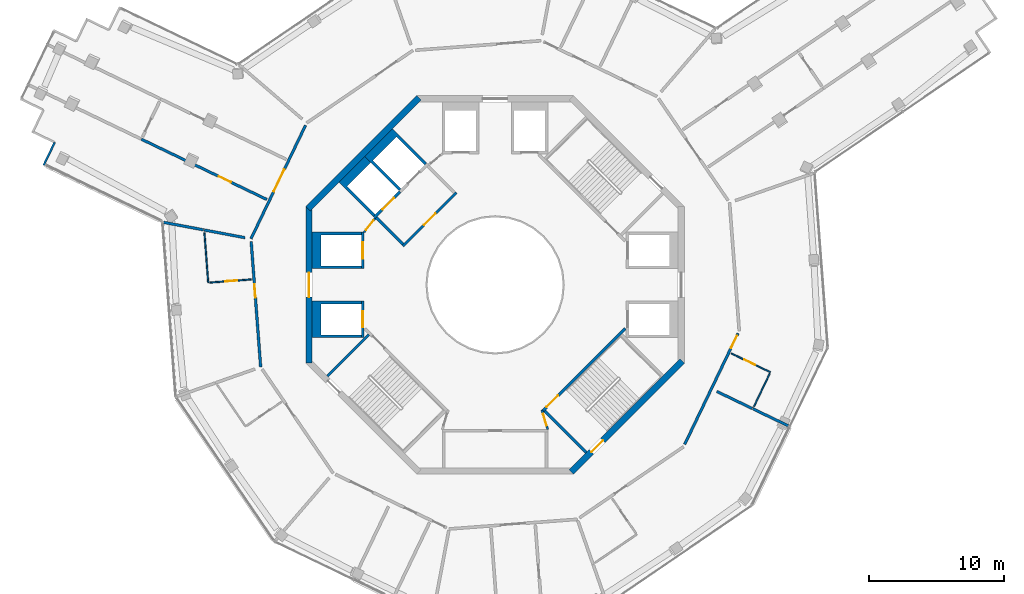
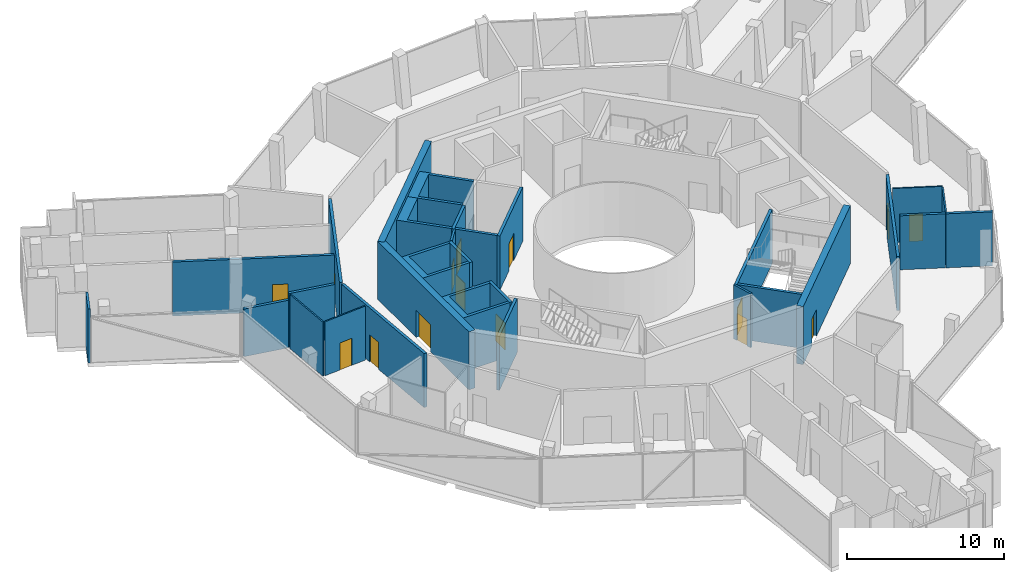
# One storey, part 14 of 19: 30 walls, 15 doors, 15 openings.
"""IFC4 building model written with IfcOpenShell, lengths in metres."""

from ifc_helpers import new_model, si_unit, direction, frame, frame_2d, origin, place, context, subcontext, project, spatial, polyline, rectangle, outline, extrude, material, layer, layer_set, type_object, element, fill, save


model = new_model("IFC4")

# Units and contexts
model_context = context("Model", 3, precision=1e-05, world=origin(), true_north=direction((0.0, 1.0)))
body_context = subcontext(model_context, "Body", "Model", "MODEL_VIEW")
ifc_project = project(units=[si_unit("LENGTHUNIT", "METRE"), si_unit("AREAUNIT", "SQUARE_METRE"), si_unit("VOLUMEUNIT", "CUBIC_METRE"), si_unit("PLANEANGLEUNIT", "RADIAN"), si_unit("MASSUNIT", "GRAM", prefix="KILO")], contexts=[model_context])

# Site, building, storey
site_placement = place(None, origin())
site = spatial("IfcSite", under=ifc_project, at=site_placement, CompositionType="ELEMENT")
building_placement = place(site_placement, origin())
building = spatial("IfcBuilding", under=site, at=building_placement, Name="Verdalira Terraces Hotel", CompositionType="ELEMENT")
storey_placement = place(building_placement, frame((0.0, 0.0, 295.0)))
storey = spatial("IfcBuildingStorey", under=building, at=storey_placement, Name="L73", CompositionType="ELEMENT", Elevation=295.0)

# Wall
ifc_material_1 = material(Name="Moisture-resistant gypsum board partition")
ifc_layer_1 = layer(ifc_material_1, 0.10009765625)
ifc_layer_set_1 = layer_set([ifc_layer_1], Name="Bathroom partition 100 mm")
wall_type_1 = type_object("IfcWallType", Name="Bathroom partition 100 mm", PredefinedType="PARTITIONING", material=ifc_layer_set_1)
wall_1_placement = place(storey_placement, frame((-21.230713, 0.159424, 0.0), z_axis=(0.0, 0.0, 1.0), x_axis=(-0.075335572, 0.997158238, 0.0)))
element("IfcWall", 1, at=wall_1_placement, inside=storey, type_object=wall_type_1, Name="Bathroom partition", PredefinedType="PARTITIONING", context=body_context, shape_type="SweptSolid", body=[
    extrude(rectangle(XDim=3.704102, YDim=0.100098, at=frame_2d((1.852051, 0.0))), origin(), (0.0, 0.0, 1.0), 4.189941),
])

# Wall, opening, door
wall_2_placement = place(storey_placement, frame((-21.131104, 0.166992, 0.0), z_axis=(0.0, 0.0, 1.0), x_axis=(0.997155975, 0.075365524, 0.0)))
wall_2 = element("IfcWall", 2, at=wall_2_placement, inside=storey, type_object=wall_type_1, Name="Bathroom partition", PredefinedType="PARTITIONING", context=body_context, shape_type="SweptSolid", body=[
    extrude(rectangle(XDim=3.100098, YDim=0.100098, at=frame_2d((1.550049, 0.0))), origin(), (0.0, 0.0, 1.0), 4.189941),
])
opening_1_placement = place(wall_2_placement, frame((1.149902, 0.0, 0.0)))
opening_1 = element("IfcOpeningElement", 3, at=opening_1_placement, cuts=wall_2, Name="Opening L73-106", PredefinedType="OPENING", context=body_context, shape_type="SweptSolid", body=[
    extrude(rectangle(XDim=0.899902, YDim=2.100098, at=frame_2d((0.449951, 1.050049))), frame((0.0, 0.060059, 0.0), z_axis=(0.0, -1.0, 0.0), x_axis=(1.0, 0.0, 0.0)), (0.0, 0.0, 1.0), 0.120117),
])
ifc_material_2 = material(Name="Timber door", Category="wood")
door_type_1 = type_object("IfcDoorType", Name="Bathroom door 900 x 2100", OperationType="NOTDEFINED", PredefinedType="DOOR", material=ifc_material_2)
door_1_placement = place(opening_1_placement, origin())
door_1 = element("IfcDoor", 4, at=door_1_placement, inside=storey, type_object=door_type_1, Name="Bathroom door 7302", OperationType="SINGLE_SWING_LEFT", OverallHeight=2.10009765625, OverallWidth=0.89990234375, PredefinedType="DOOR", context=body_context, shape_type="SweptSolid", body=[
    extrude(rectangle(XDim=0.899902, YDim=2.100098, at=frame_2d((0.449951, 1.050049))), frame((0.0, 0.024902, 0.0), z_axis=(0.0, -1.0, 0.0), x_axis=(1.0, 0.0, 0.0)), (0.0, 0.0, 1.0), 0.050049),
])
fill(opening_1, door_1)

wall_3_placement = place(storey_placement, frame((20.368408, -6.465088, 0.0), z_axis=(0.0, 0.0, 1.0), x_axis=(-0.901247841, 0.433303969, 0.0)))
wall_3 = element("IfcWall", 5, at=wall_3_placement, inside=storey, type_object=wall_type_1, Name="Bathroom partition", PredefinedType="PARTITIONING", context=body_context, shape_type="SweptSolid", body=[
    extrude(rectangle(XDim=3.199707, YDim=0.100098, at=frame_2d((1.599854, 0.0))), origin(), (0.0, 0.0, 1.0), 4.189941),
])
opening_2_placement = place(wall_3_placement, frame((1.25, 0.0, 0.0)))
opening_2 = element("IfcOpeningElement", 6, at=opening_2_placement, cuts=wall_3, Name="Opening L73-117", PredefinedType="OPENING", context=body_context, shape_type="SweptSolid", body=[
    extrude(rectangle(XDim=0.899902, YDim=2.100098, at=frame_2d((0.449951, 1.050049))), frame((0.0, 0.060059, 0.0), z_axis=(0.0, -1.0, 0.0), x_axis=(1.0, 0.0, 0.0)), (0.0, 0.0, 1.0), 0.120117),
])
door_2_placement = place(opening_2_placement, origin())
door_2 = element("IfcDoor", 7, at=door_2_placement, inside=storey, type_object=door_type_1, Name="Bathroom door 7307", OperationType="SINGLE_SWING_LEFT", OverallHeight=2.10009765625, OverallWidth=0.89990234375, PredefinedType="DOOR", context=body_context, shape_type="SweptSolid", body=[
    extrude(rectangle(XDim=0.899902, YDim=2.100098, at=frame_2d((0.449951, 1.050049))), frame((0.0, 0.024902, 0.0), z_axis=(0.0, -1.0, 0.0), x_axis=(1.0, 0.0, 0.0)), (0.0, 0.0, 1.0), 0.050049),
])
fill(opening_2, door_2)

# Walls
wall_4_placement = place(storey_placement, frame((20.325195, -6.55542, 0.0), z_axis=(0.0, 0.0, 1.0), x_axis=(-0.433342461, -0.901229333, 0.0)))
element("IfcWall", 8, at=wall_4_placement, inside=storey, type_object=wall_type_1, Name="Bathroom partition", PredefinedType="PARTITIONING", context=body_context, shape_type="SweptSolid", body=[
    extrude(rectangle(XDim=2.699707, YDim=0.100098, at=frame_2d((1.349854, 0.0))), origin(), (0.0, 0.0, 1.0), 4.189941),
])
ifc_material_3 = material(Name="Concrete C50", Category="concrete")
ifc_layer_2 = layer(ifc_material_3, 0.199951171875)
ifc_layer_set_2 = layer_set([ifc_layer_2], Name="Core RC wall 200 C50")
wall_type_2 = type_object("IfcWallType", Name="Core RC wall 200 C50", PredefinedType="SOLIDWALL", material=ifc_layer_set_2)
wall_5_placement = place(storey_placement, origin())
element("IfcWall", 9, at=wall_5_placement, inside=storey, type_object=wall_type_2, Name="L73 shaft wall W1", PredefinedType="SOLIDWALL", context=body_context, shape_type="SweptSolid", body=[
    extrude(outline(polyline([(-13.550049, 3.899902), (-9.899902, 3.899902), (-9.899902, 3.699951), (-12.899902, 3.699951), (-12.899902, 1.399902), (-9.899902, 1.399902), (-9.899902, 1.199951), (-13.550049, 1.199951), (-13.550049, 3.899902)])), origin(), (0.0, 0.0, 1.0), 4.189941),
])

# Wall, opening, door
wall_6_placement = place(storey_placement, frame((-9.800049, 1.199951, 0.0), z_axis=(0.0, 0.0, 1.0), x_axis=(0.0, 1.0, 0.0)))
wall_6 = element("IfcWall", 10, at=wall_6_placement, inside=storey, type_object=wall_type_2, Name="L73 shaft front wall W1", PredefinedType="SOLIDWALL", context=body_context, shape_type="SweptSolid", body=[
    extrude(rectangle(XDim=2.699951, YDim=0.199951, at=frame_2d((1.350098, 0.0))), origin(), (0.0, 0.0, 1.0), 4.189941),
])
opening_3_placement = place(wall_6_placement, frame((0.75, 0.0, 0.0)))
opening_3 = element("IfcOpeningElement", 11, at=opening_3_placement, cuts=wall_6, Name="Opening LD-L73-806", PredefinedType="OPENING", context=body_context, shape_type="SweptSolid", body=[
    extrude(rectangle(XDim=1.199951, YDim=2.100098, at=frame_2d((0.600098, 1.050049))), frame((0.0, 0.109863, 0.0), z_axis=(0.0, -1.0, 0.0), x_axis=(1.0, 0.0, 0.0)), (0.0, 0.0, 1.0), 0.219971),
])
ifc_material_4 = material(Name="Stainless steel", Category="steel")
door_type_2 = type_object("IfcDoorType", Name="Landing door 1200 x 2100", OperationType="NOTDEFINED", PredefinedType="DOOR", material=ifc_material_4)
door_3_placement = place(opening_3_placement, origin())
door_3 = element("IfcDoor", 12, at=door_3_placement, inside=storey, type_object=door_type_2, Name="Lift landing door HR5 L73", OperationType="DOUBLE_DOOR_SLIDING", OverallHeight=2.10009765625, OverallWidth=1.199951171875, PredefinedType="DOOR", context=body_context, shape_type="SweptSolid", body=[
    extrude(rectangle(XDim=1.199951, YDim=2.100098, at=frame_2d((0.600098, 1.050049))), frame((0.0, 0.024902, 0.0), z_axis=(0.0, -1.0, 0.0), x_axis=(1.0, 0.0, 0.0)), (0.0, 0.0, 1.0), 0.050049),
])
fill(opening_3, door_3)

# Wall
wall_7_placement = place(storey_placement, origin())
element("IfcWall", 13, at=wall_7_placement, inside=storey, type_object=wall_type_2, Name="L73 shaft wall W2", PredefinedType="SOLIDWALL", context=body_context, shape_type="SweptSolid", body=[
    extrude(outline(polyline([(-13.550049, -3.899902), (-13.550049, -1.199951), (-9.899902, -1.199951), (-9.899902, -1.399902), (-12.899902, -1.399902), (-12.899902, -3.699951), (-9.899902, -3.699951), (-9.899902, -3.899902), (-13.550049, -3.899902)])), origin(), (0.0, 0.0, 1.0), 4.189941),
])

# Wall, opening, door
wall_8_placement = place(storey_placement, frame((-9.800049, -1.199951, 0.0), z_axis=(0.0, 0.0, 1.0), x_axis=(0.0, -1.0, 0.0)))
wall_8 = element("IfcWall", 14, at=wall_8_placement, inside=storey, type_object=wall_type_2, Name="L73 shaft front wall W2", PredefinedType="SOLIDWALL", context=body_context, shape_type="SweptSolid", body=[
    extrude(rectangle(XDim=2.699951, YDim=0.199951, at=frame_2d((1.350098, 0.0))), origin(), (0.0, 0.0, 1.0), 4.189941),
])
opening_4_placement = place(wall_8_placement, frame((0.75, 0.0, 0.0)))
opening_4 = element("IfcOpeningElement", 15, at=opening_4_placement, cuts=wall_8, Name="Opening LD-L73-807", PredefinedType="OPENING", context=body_context, shape_type="SweptSolid", body=[
    extrude(rectangle(XDim=1.199951, YDim=2.100098, at=frame_2d((0.600098, 1.050049))), frame((0.0, 0.109863, 0.0), z_axis=(0.0, -1.0, 0.0), x_axis=(1.0, 0.0, 0.0)), (0.0, 0.0, 1.0), 0.219971),
])
door_4_placement = place(opening_4_placement, origin())
door_4 = element("IfcDoor", 16, at=door_4_placement, inside=storey, type_object=door_type_2, Name="Lift landing door HR6 L73", OperationType="DOUBLE_DOOR_SLIDING", OverallHeight=2.10009765625, OverallWidth=1.199951171875, PredefinedType="DOOR", context=body_context, shape_type="SweptSolid", body=[
    extrude(rectangle(XDim=1.199951, YDim=2.100098, at=frame_2d((0.600098, 1.050049))), frame((0.0, 0.024902, 0.0), z_axis=(0.0, -1.0, 0.0), x_axis=(1.0, 0.0, 0.0)), (0.0, 0.0, 1.0), 0.050049),
])
fill(opening_4, door_4)

# Walls
wall_9_placement = place(storey_placement, origin())
element("IfcWall", 17, at=wall_9_placement, inside=storey, type_object=wall_type_2, Name="L73 shaft wall F1", PredefinedType="SOLIDWALL", context=body_context, shape_type="SweptSolid", body=[
    extrude(outline(polyline([(-9.6521, 9.510498), (-7.601318, 11.561279), (-5.055908, 9.015625), (-5.197266, 8.874268), (-7.283203, 10.960205), (-9.051025, 9.192383), (-6.965088, 7.106445), (-7.106445, 6.965088), (-9.6521, 9.510498)])), origin(), (0.0, 0.0, 1.0), 4.189941),
])
wall_10_placement = place(storey_placement, origin())
element("IfcWall", 18, at=wall_10_placement, inside=storey, type_object=wall_type_2, Name="L73 shaft wall F2", PredefinedType="SOLIDWALL", context=body_context, shape_type="SweptSolid", body=[
    extrude(outline(polyline([(-11.561279, 7.601318), (-9.6521, 9.510498), (-9.192383, 9.051025), (-10.960205, 7.283203), (-8.874268, 5.197266), (-9.015625, 5.055908), (-11.561279, 7.601318)])), origin(), (0.0, 0.0, 1.0), 4.189941),
])

# Wall, opening, door
wall_11_placement = place(storey_placement, frame((-7.035645, 6.894287, 0.0), z_axis=(0.0, 0.0, 1.0), x_axis=(-0.707106781, -0.707106781, 0.0)))
wall_11 = element("IfcWall", 19, at=wall_11_placement, inside=storey, type_object=wall_type_2, Name="L73 shaft front wall F2", PredefinedType="SOLIDWALL", context=body_context, shape_type="SweptSolid", body=[
    extrude(rectangle(XDim=2.699951, YDim=0.199951, at=frame_2d((1.350098, 0.0))), origin(), (0.0, 0.0, 1.0), 4.189941),
])
opening_5_placement = place(wall_11_placement, frame((0.649902, 0.0, 0.0)))
opening_5 = element("IfcOpeningElement", 20, at=opening_5_placement, cuts=wall_11, Name="Opening LD-L73-809", PredefinedType="OPENING", context=body_context, shape_type="SweptSolid", body=[
    extrude(rectangle(XDim=1.199951, YDim=2.100098, at=frame_2d((0.600098, 1.050049))), frame((0.0, 0.109863, 0.0), z_axis=(0.0, -1.0, 0.0), x_axis=(1.0, 0.0, 0.0)), (0.0, 0.0, 1.0), 0.219971),
])
door_5_placement = place(opening_5_placement, origin())
door_5 = element("IfcDoor", 21, at=door_5_placement, inside=storey, type_object=door_type_2, Name="Lift landing door LF12 L73", OperationType="DOUBLE_DOOR_SLIDING", OverallHeight=2.10009765625, OverallWidth=1.199951171875, PredefinedType="DOOR", context=body_context, shape_type="SweptSolid", body=[
    extrude(rectangle(XDim=1.199951, YDim=2.100098, at=frame_2d((0.600098, 1.050049))), frame((0.0, 0.024902, 0.0), z_axis=(0.0, -1.0, 0.0), x_axis=(1.0, 0.0, 0.0)), (0.0, 0.0, 1.0), 0.050049),
])
fill(opening_5, door_5)

# Wall
wall_12_placement = place(storey_placement, frame((-9.33374, -3.677002, 0.0), z_axis=(0.0, 0.0, 1.0), x_axis=(-0.707106781, -0.707106781, 0.0)))
element("IfcWall", 22, at=wall_12_placement, inside=storey, type_object=wall_type_2, Name="L73 stair ST2 end wall 1", PredefinedType="SOLIDWALL", context=body_context, shape_type="SweptSolid", body=[
    extrude(rectangle(XDim=4.350098, YDim=0.199951, at=frame_2d((2.175049, 0.0))), origin(), (0.0, 0.0, 1.0), 4.189941),
])

# Wall, opening, door
wall_13_placement = place(storey_placement, frame((9.629395, -3.23999, 0.0), z_axis=(0.0, 0.0, 1.0), x_axis=(-0.707120946, -0.707092617, 0.0)))
wall_13 = element("IfcWall", 23, at=wall_13_placement, inside=storey, type_object=wall_type_2, Name="L73 stair ST3 front wall", PredefinedType="SOLIDWALL", context=body_context, shape_type="SweptSolid", body=[
    extrude(rectangle(XDim=8.61792, YDim=0.199951, at=frame_2d((4.309082, 0.0))), origin(), (0.0, 0.0, 1.0), 4.189941),
])
opening_6_placement = place(wall_13_placement, frame((7.017822, 0.0, 0.0)))
opening_6 = element("IfcOpeningElement", 24, at=opening_6_placement, cuts=wall_13, Name="Opening L73-812", PredefinedType="OPENING", context=body_context, shape_type="SweptSolid", body=[
    extrude(rectangle(XDim=1.199951, YDim=2.100098, at=frame_2d((0.600098, 1.050049))), frame((0.0, 0.109863, 0.0), z_axis=(0.0, -1.0, 0.0), x_axis=(1.0, 0.0, 0.0)), (0.0, 0.0, 1.0), 0.219971),
])
ifc_material_5 = material(Name="Steel fire door", Category="steel")
door_type_3 = type_object("IfcDoorType", Name="Stair door 1200 x 2100", OperationType="NOTDEFINED", PredefinedType="DOOR", material=ifc_material_5)
door_6_placement = place(opening_6_placement, origin())
door_6 = element("IfcDoor", 25, at=door_6_placement, inside=storey, type_object=door_type_3, Name="Stair door ST3 L73", OperationType="SINGLE_SWING_RIGHT", OverallHeight=2.10009765625, OverallWidth=1.199951171875, PredefinedType="DOOR", context=body_context, shape_type="SweptSolid", body=[
    extrude(rectangle(XDim=1.199951, YDim=2.100098, at=frame_2d((0.600098, 1.050049))), frame((0.0, 0.024902, 0.0), z_axis=(0.0, -1.0, 0.0), x_axis=(1.0, 0.0, 0.0)), (0.0, 0.0, 1.0), 0.050049),
])
fill(opening_6, door_6)

# Wall
wall_14_placement = place(storey_placement, frame((3.677002, -9.33374, 0.0), z_axis=(0.0, 0.0, 1.0), x_axis=(0.707106781, -0.707106781, 0.0)))
element("IfcWall", 26, at=wall_14_placement, inside=storey, type_object=wall_type_2, Name="L73 stair ST3 end wall 1", PredefinedType="SOLIDWALL", context=body_context, shape_type="SweptSolid", body=[
    extrude(rectangle(XDim=4.350098, YDim=0.199951, at=frame_2d((2.175049, 0.0))), origin(), (0.0, 0.0, 1.0), 4.189941),
])

# Wall, opening, door
wall_15_placement = place(storey_placement, frame((-2.86377, 6.823486, 0.0), z_axis=(0.0, 0.0, 1.0), x_axis=(-0.707106781, -0.707106781, 0.0)))
wall_15 = element("IfcWall", 27, at=wall_15_placement, inside=storey, type_object=wall_type_2, Name="L73 fire lobby wall", PredefinedType="SOLIDWALL", context=body_context, shape_type="SweptSolid", body=[
    extrude(rectangle(XDim=5.599854, YDim=0.199951, at=frame_2d((2.799805, 0.0))), origin(), (0.0, 0.0, 1.0), 4.189941),
])
opening_7_placement = place(wall_15_placement, frame((2.199951, 0.0, 0.0)))
opening_7 = element("IfcOpeningElement", 28, at=opening_7_placement, cuts=wall_15, Name="Opening L73-819", PredefinedType="OPENING", context=body_context, shape_type="SweptSolid", body=[
    extrude(rectangle(XDim=1.199951, YDim=2.100098, at=frame_2d((0.600098, 1.050049))), frame((0.0, 0.109863, 0.0), z_axis=(0.0, -1.0, 0.0), x_axis=(1.0, 0.0, 0.0)), (0.0, 0.0, 1.0), 0.219971),
])
ifc_material_6 = material(Name="Steel fire door", Category="steel")
door_type_4 = type_object("IfcDoorType", Name="Lobby door 1200 x 2100", OperationType="NOTDEFINED", PredefinedType="DOOR", material=ifc_material_6)
door_7_placement = place(opening_7_placement, origin())
door_7 = element("IfcDoor", 29, at=door_7_placement, inside=storey, type_object=door_type_4, Name="Fire lobby door L73", OperationType="SINGLE_SWING_LEFT", OverallHeight=2.10009765625, OverallWidth=1.199951171875, PredefinedType="DOOR", context=body_context, shape_type="SweptSolid", body=[
    extrude(rectangle(XDim=1.199951, YDim=2.100098, at=frame_2d((0.600098, 1.050049))), frame((0.0, 0.024902, 0.0), z_axis=(0.0, -1.0, 0.0), x_axis=(1.0, 0.0, 0.0)), (0.0, 0.0, 1.0), 0.050049),
])
fill(opening_7, door_7)

# Wall
wall_16_placement = place(storey_placement, frame((-6.823486, 3.005127, 0.0), z_axis=(0.0, 0.0, 1.0), x_axis=(-0.707106781, 0.707106781, 0.0)))
element("IfcWall", 30, at=wall_16_placement, inside=storey, type_object=wall_type_2, Name="L73 fire lobby wall", PredefinedType="SOLIDWALL", context=body_context, shape_type="SweptSolid", body=[
    extrude(rectangle(XDim=2.800049, YDim=0.199951, at=frame_2d((1.399902, 0.0))), origin(), (0.0, 0.0, 1.0), 4.189941),
])

# Wall, opening, door
ifc_material_7 = material(Name="Gypsum board partition")
ifc_layer_3 = layer(ifc_material_7, 0.14990234375)
ifc_layer_set_3 = layer_set([ifc_layer_3], Name="Core partition 150 mm")
wall_type_3 = type_object("IfcWallType", Name="Core partition 150 mm", PredefinedType="PARTITIONING", material=ifc_layer_set_3)
wall_17_placement = place(storey_placement, frame((-8.874268, 4.914307, 0.0), z_axis=(0.0, 0.0, 1.0), x_axis=(-0.631274009, -0.775559878, 0.0)))
wall_17 = element("IfcWall", 31, at=wall_17_placement, inside=storey, type_object=wall_type_3, Name="Room partition L73", PredefinedType="PARTITIONING", context=body_context, shape_type="SweptSolid", body=[
    extrude(rectangle(XDim=1.307861, YDim=0.149902, at=frame_2d((0.653809, 0.0))), origin(), (0.0, 0.0, 1.0), 4.189941),
])
opening_8_placement = place(wall_17_placement, frame((0.204102, 0.0, 0.0)))
opening_8 = element("IfcOpeningElement", 32, at=opening_8_placement, cuts=wall_17, Name="Opening L73-821", PredefinedType="OPENING", context=body_context, shape_type="SweptSolid", body=[
    extrude(rectangle(XDim=0.899902, YDim=2.100098, at=frame_2d((0.449951, 1.050049))), frame((0.0, 0.084961, 0.0), z_axis=(0.0, -1.0, 0.0), x_axis=(1.0, 0.0, 0.0)), (0.0, 0.0, 1.0), 0.169922),
])
ifc_material_8 = material(Name="Steel fire door", Category="steel")
door_type_5 = type_object("IfcDoorType", Name="Core room door 900 x 2100", OperationType="NOTDEFINED", PredefinedType="DOOR", material=ifc_material_8)
door_8_placement = place(opening_8_placement, origin())
door_8 = element("IfcDoor", 33, at=door_8_placement, inside=storey, type_object=door_type_5, Name="Door L73 room3", OperationType="SINGLE_SWING_LEFT", OverallHeight=2.10009765625, OverallWidth=0.89990234375, PredefinedType="DOOR", context=body_context, shape_type="SweptSolid", body=[
    extrude(rectangle(XDim=0.899902, YDim=2.100098, at=frame_2d((0.449951, 1.050049))), frame((0.0, 0.024902, 0.0), z_axis=(0.0, -1.0, 0.0), x_axis=(1.0, 0.0, 0.0)), (0.0, 0.0, 1.0), 0.050049),
])
fill(opening_8, door_8)

wall_18_placement = place(storey_placement, frame((3.899902, -10.699951, 0.0), z_axis=(0.0, 0.0, 1.0), x_axis=(-0.289808785, 0.957084567, 0.0)))
wall_18 = element("IfcWall", 34, at=wall_18_placement, inside=storey, type_object=wall_type_3, Name="Room partition L73", PredefinedType="PARTITIONING", context=body_context, shape_type="SweptSolid", body=[
    extrude(rectangle(XDim=1.501221, YDim=0.149902, at=frame_2d((0.750488, 0.0))), origin(), (0.0, 0.0, 1.0), 4.189941),
])
opening_9_placement = place(wall_18_placement, frame((0.300781, 0.0, 0.0)))
opening_9 = element("IfcOpeningElement", 35, at=opening_9_placement, cuts=wall_18, Name="Opening L73-823", PredefinedType="OPENING", context=body_context, shape_type="SweptSolid", body=[
    extrude(rectangle(XDim=0.899902, YDim=2.100098, at=frame_2d((0.449951, 1.050049))), frame((0.0, 0.084961, 0.0), z_axis=(0.0, -1.0, 0.0), x_axis=(1.0, 0.0, 0.0)), (0.0, 0.0, 1.0), 0.169922),
])
door_9_placement = place(opening_9_placement, origin())
door_9 = element("IfcDoor", 36, at=door_9_placement, inside=storey, type_object=door_type_5, Name="Door L73 room6", OperationType="SINGLE_SWING_LEFT", OverallHeight=2.10009765625, OverallWidth=0.89990234375, PredefinedType="DOOR", context=body_context, shape_type="SweptSolid", body=[
    extrude(rectangle(XDim=0.899902, YDim=2.100098, at=frame_2d((0.449951, 1.050049))), frame((0.0, 0.024902, 0.0), z_axis=(0.0, -1.0, 0.0), x_axis=(1.0, 0.0, 0.0)), (0.0, 0.0, 1.0), 0.050049),
])
fill(opening_9, door_9)

# Wall
ifc_material_9 = material(Name="Concrete C50", Category="concrete")
ifc_layer_4 = layer(ifc_material_9, 0.449951171875)
ifc_layer_set_4 = layer_set([ifc_layer_4], Name="Core wall 450 C50")
wall_type_4 = type_object("IfcWallType", Name="Core wall 450 C50", PredefinedType="SHEAR", material=ifc_layer_set_4)
wall_19_placement = place(storey_placement, frame((-5.639893, 13.84082, 0.0), z_axis=(0.0, 0.0, 1.0), x_axis=(-0.707106781, -0.707106781, 0.0)))
element("IfcWall", 37, at=wall_19_placement, inside=storey, type_object=wall_type_4, Name="Core wall CW-L73-4", PredefinedType="SHEAR", context=body_context, shape_type="SweptSolid", body=[
    extrude(rectangle(XDim=11.5979, YDim=0.449951, at=frame_2d((5.798828, 0.0))), origin(), (0.0, 0.0, 1.0), 4.5),
])

# Wall, opening, door
wall_20_placement = place(storey_placement, frame((-13.774902, 5.799072, 0.0), z_axis=(0.0, 0.0, 1.0), x_axis=(0.0, -1.0, 0.0)))
wall_20 = element("IfcWall", 38, at=wall_20_placement, inside=storey, type_object=wall_type_4, Name="Core wall CW-L73-5", PredefinedType="SHEAR", context=body_context, shape_type="SweptSolid", body=[
    extrude(rectangle(XDim=11.598145, YDim=0.449951, at=frame_2d((5.799072, 0.0))), origin(), (0.0, 0.0, 1.0), 4.5),
])
opening_10_placement = place(wall_20_placement, frame((4.898926, 0.0, 0.0)))
opening_10 = element("IfcOpeningElement", 39, at=opening_10_placement, cuts=wall_20, Name="Opening L73-815", PredefinedType="OPENING", context=body_context, shape_type="SweptSolid", body=[
    extrude(rectangle(XDim=1.800049, YDim=2.100098, at=frame_2d((0.899902, 1.050049))), frame((0.0, 0.234863, 0.0), z_axis=(0.0, -1.0, 0.0), x_axis=(1.0, 0.0, 0.0)), (0.0, 0.0, 1.0), 0.469971),
])
ifc_material_10 = material(Name="Steel fire door", Category="steel")
door_type_6 = type_object("IfcDoorType", Name="Core entry door pair 1800 x 2100", OperationType="NOTDEFINED", PredefinedType="DOOR", material=ifc_material_10)
door_10_placement = place(opening_10_placement, origin())
door_10 = element("IfcDoor", 40, at=door_10_placement, inside=storey, type_object=door_type_6, Name="Core entry door L73 4", OperationType="DOUBLE_DOOR_SINGLE_SWING", OverallHeight=2.10009765625, OverallWidth=1.800048828125, PredefinedType="DOOR", context=body_context, shape_type="SweptSolid", body=[
    extrude(rectangle(XDim=1.800049, YDim=2.100098, at=frame_2d((0.899902, 1.050049))), frame((0.0, 0.024902, 0.0), z_axis=(0.0, -1.0, 0.0), x_axis=(1.0, 0.0, 0.0)), (0.0, 0.0, 1.0), 0.050049),
])
fill(opening_10, door_10)

wall_21_placement = place(storey_placement, frame((5.639893, -13.84082, 0.0), z_axis=(0.0, 0.0, 1.0), x_axis=(0.707106781, 0.707106781, 0.0)))
wall_21 = element("IfcWall", 41, at=wall_21_placement, inside=storey, type_object=wall_type_4, Name="Core wall CW-L73-8", PredefinedType="SHEAR", context=body_context, shape_type="SweptSolid", body=[
    extrude(rectangle(XDim=11.5979, YDim=0.449951, at=frame_2d((5.798828, 0.0))), origin(), (0.0, 0.0, 1.0), 4.5),
])
opening_11_placement = place(wall_21_placement, frame((2.099121, 0.0, 0.0)))
opening_11 = element("IfcOpeningElement", 42, at=opening_11_placement, cuts=wall_21, Name="Opening L73-818", PredefinedType="OPENING", context=body_context, shape_type="SweptSolid", body=[
    extrude(rectangle(XDim=1.199951, YDim=2.100098, at=frame_2d((0.600098, 1.050049))), frame((0.0, 0.234863, 0.0), z_axis=(0.0, -1.0, 0.0), x_axis=(1.0, 0.0, 0.0)), (0.0, 0.0, 1.0), 0.469971),
])
door_11_placement = place(opening_11_placement, origin())
door_11 = element("IfcDoor", 43, at=door_11_placement, inside=storey, type_object=door_type_3, Name="Stair exit door ST3 L73", OperationType="SINGLE_SWING_LEFT", OverallHeight=2.10009765625, OverallWidth=1.199951171875, PredefinedType="DOOR", context=body_context, shape_type="SweptSolid", body=[
    extrude(rectangle(XDim=1.199951, YDim=2.100098, at=frame_2d((0.600098, 1.050049))), frame((0.0, 0.024902, 0.0), z_axis=(0.0, -1.0, 0.0), x_axis=(1.0, 0.0, 0.0)), (0.0, 0.0, 1.0), 0.050049),
])
fill(opening_11, door_11)

ifc_material_11 = material(Name="Fire-rated gypsum board wall")
ifc_layer_5 = layer(ifc_material_11, 0.199951171875)
ifc_layer_set_5 = layer_set([ifc_layer_5], Name="Demising wall 200 mm")
wall_type_5 = type_object("IfcWallType", Name="Demising wall 200 mm", PredefinedType="SOLIDWALL", material=ifc_layer_set_5)
wall_22_placement = place(storey_placement, frame((-16.889893, 6.315186, 0.0), z_axis=(0.0, 0.0, 1.0), x_axis=(-0.901235517, 0.433329602, 0.0)))
wall_22 = element("IfcWall", 44, at=wall_22_placement, inside=storey, type_object=wall_type_5, Name="Demising wall", PredefinedType="SOLIDWALL", context=body_context, shape_type="SweptSolid", body=[
    extrude(rectangle(XDim=10.302002, YDim=0.199951, at=frame_2d((5.150879, 0.0))), origin(), (0.0, 0.0, 1.0), 4.189941),
])
opening_12_placement = place(wall_22_placement, frame((2.949951, 0.0, 0.0)))
opening_12 = element("IfcOpeningElement", 45, at=opening_12_placement, cuts=wall_22, Name="Opening L73-103", PredefinedType="OPENING", context=body_context, shape_type="SweptSolid", body=[
    extrude(rectangle(XDim=1.0, YDim=2.100098, at=frame_2d((0.5, 1.050049))), frame((0.0, 0.109863, 0.0), z_axis=(0.0, -1.0, 0.0), x_axis=(1.0, 0.0, 0.0)), (0.0, 0.0, 1.0), 0.219971),
])
ifc_material_12 = material(Name="Timber fire door", Category="wood")
door_type_7 = type_object("IfcDoorType", Name="Public room door 1000 x 2100", OperationType="NOTDEFINED", PredefinedType="DOOR", material=ifc_material_12)
door_12_placement = place(opening_12_placement, origin())
door_12 = element("IfcDoor", 46, at=door_12_placement, inside=storey, type_object=door_type_7, Name="Public room door 7301", OperationType="SINGLE_SWING_LEFT", OverallHeight=2.10009765625, OverallWidth=1.0, PredefinedType="DOOR", context=body_context, shape_type="SweptSolid", body=[
    extrude(rectangle(XDim=1.0, YDim=2.100098, at=frame_2d((0.5, 1.050049))), frame((0.0, 0.024902, 0.0), z_axis=(0.0, -1.0, 0.0), x_axis=(1.0, 0.0, 0.0)), (0.0, 0.0, 1.0), 0.050049),
])
fill(opening_12, door_12)

# Walls
wall_23_placement = place(storey_placement, frame((-18.505859, 3.48999, 0.0), z_axis=(0.0, 0.0, 1.0), x_axis=(-0.982674754, 0.185338414, 0.0)))
element("IfcWall", 47, at=wall_23_placement, inside=storey, type_object=wall_type_5, Name="Demising wall", PredefinedType="SOLIDWALL", context=body_context, shape_type="SweptSolid", body=[
    extrude(rectangle(XDim=3.074463, YDim=0.199951, at=frame_2d((1.537109, 0.0))), origin(), (0.0, 0.0, 1.0), 4.189941),
])
wall_24_placement = place(storey_placement, frame((16.407471, -7.889404, 0.0), z_axis=(0.0, 0.0, 1.0), x_axis=(0.901246112, -0.433307565, 0.0)))
element("IfcWall", 48, at=wall_24_placement, inside=storey, type_object=wall_type_5, Name="Demising wall", PredefinedType="SOLIDWALL", context=body_context, shape_type="SweptSolid", body=[
    extrude(rectangle(XDim=2.904541, YDim=0.199951, at=frame_2d((1.452148, 0.0))), origin(), (0.0, 0.0, 1.0), 4.189941),
])
wall_25_placement = place(storey_placement, frame((19.06665, -9.167969, 0.0), z_axis=(0.0, 0.0, 1.0), x_axis=(0.901218262, -0.433365485, 0.0)))
element("IfcWall", 49, at=wall_25_placement, inside=storey, type_object=wall_type_5, Name="Demising wall", PredefinedType="SOLIDWALL", context=body_context, shape_type="SweptSolid", body=[
    extrude(rectangle(XDim=2.951904, YDim=0.199951, at=frame_2d((1.476074, 0.0))), origin(), (0.0, 0.0, 1.0), 4.189941),
])
ifc_material_13 = material(Name="Fire-rated gypsum board wall")
ifc_layer_6 = layer(ifc_material_13, 0.199951171875)
ifc_layer_set_6 = layer_set([ifc_layer_6], Name="Demising wall 200 mm to beam soffit")
wall_type_6 = type_object("IfcWallType", Name="Demising wall 200 mm to beam soffit", PredefinedType="SOLIDWALL", material=ifc_layer_set_6)
wall_26_placement = place(storey_placement, frame((-21.57251, 4.068359, 0.0), z_axis=(0.0, 0.0, 1.0), x_axis=(-0.982673358, 0.185345817, 0.0)))
element("IfcWall", 50, at=wall_26_placement, inside=storey, type_object=wall_type_6, Name="Demising wall", PredefinedType="SOLIDWALL", context=body_context, shape_type="SweptSolid", body=[
    extrude(rectangle(XDim=3.01123, YDim=0.199951, at=frame_2d((1.505615, 0.0))), origin(), (0.0, 0.0, 1.0), 3.689941),
])

# Wall, opening, door
ifc_material_14 = material(Name="Fire-rated gypsum board wall")
ifc_layer_7 = layer(ifc_material_14, 0.199951171875)
ifc_layer_set_7 = layer_set([ifc_layer_7], Name="Guest corridor wall 200 mm")
wall_type_7 = type_object("IfcWallType", Name="Guest corridor wall 200 mm", PredefinedType="SOLIDWALL", material=ifc_layer_set_7)
wall_27_placement = place(storey_placement, frame((-17.349609, -6.08252, 0.0), z_axis=(0.0, 0.0, 1.0), x_axis=(-0.075311748, 0.997160038, 0.0)))
wall_27 = element("IfcWall", 51, at=wall_27_placement, inside=storey, type_object=wall_type_7, Name="Guest corridor wall", PredefinedType="SOLIDWALL", context=body_context, shape_type="SweptSolid", body=[
    extrude(rectangle(XDim=9.31665, YDim=0.199951, at=frame_2d((4.658203, 0.0))), origin(), (0.0, 0.0, 1.0), 4.189941),
])
opening_13_placement = place(wall_27_placement, frame((5.149902, 0.0, 0.0)))
opening_13 = element("IfcOpeningElement", 52, at=opening_13_placement, cuts=wall_27, Name="Opening L73-105", PredefinedType="OPENING", context=body_context, shape_type="SweptSolid", body=[
    extrude(rectangle(XDim=1.0, YDim=2.100098, at=frame_2d((0.5, 1.050049))), frame((0.0, 0.109863, 0.0), z_axis=(0.0, -1.0, 0.0), x_axis=(1.0, 0.0, 0.0)), (0.0, 0.0, 1.0), 0.219971),
])
ifc_material_15 = material(Name="Timber fire door", Category="wood")
door_type_8 = type_object("IfcDoorType", Name="Guest entry door 1000 x 2100", OperationType="NOTDEFINED", PredefinedType="DOOR", material=ifc_material_15)
door_13_placement = place(opening_13_placement, origin())
door_13 = element("IfcDoor", 53, at=door_13_placement, inside=storey, type_object=door_type_8, Name="Guest entry door 7302", OperationType="SINGLE_SWING_LEFT", OverallHeight=2.10009765625, OverallWidth=1.0, PredefinedType="DOOR", context=body_context, shape_type="SweptSolid", body=[
    extrude(rectangle(XDim=1.0, YDim=2.100098, at=frame_2d((0.5, 1.050049))), frame((0.0, 0.024902, 0.0), z_axis=(0.0, -1.0, 0.0), x_axis=(1.0, 0.0, 0.0)), (0.0, 0.0, 1.0), 0.050049),
])
fill(opening_13, door_13)

wall_28_placement = place(storey_placement, frame((-18.066406, 3.406982, 0.0), z_axis=(0.0, 0.0, 1.0), x_axis=(0.433334957, 0.901232942, 0.0)))
wall_28 = element("IfcWall", 54, at=wall_28_placement, inside=storey, type_object=wall_type_7, Name="Guest corridor wall", PredefinedType="SOLIDWALL", context=body_context, shape_type="SweptSolid", body=[
    extrude(rectangle(XDim=9.316895, YDim=0.199951, at=frame_2d((4.658447, 0.0))), origin(), (0.0, 0.0, 1.0), 4.189941),
])
opening_14_placement = place(wall_28_placement, frame((3.880615, 0.0, 0.0)))
opening_14 = element("IfcOpeningElement", 55, at=opening_14_placement, cuts=wall_28, Name="Opening L73-101", PredefinedType="OPENING", context=body_context, shape_type="SweptSolid", body=[
    extrude(rectangle(XDim=1.800049, YDim=2.100098, at=frame_2d((0.899902, 1.050049))), frame((0.0, 0.109863, 0.0), z_axis=(0.0, -1.0, 0.0), x_axis=(1.0, 0.0, 0.0)), (0.0, 0.0, 1.0), 0.219971),
])
ifc_material_16 = material(Name="Timber fire door", Category="wood")
door_type_9 = type_object("IfcDoorType", Name="Public room double door 1800 x 2100", OperationType="NOTDEFINED", PredefinedType="DOOR", material=ifc_material_16)
door_14_placement = place(opening_14_placement, origin())
door_14 = element("IfcDoor", 56, at=door_14_placement, inside=storey, type_object=door_type_9, Name="Public room double door 7301", OperationType="DOUBLE_DOOR_SINGLE_SWING", OverallHeight=2.10009765625, OverallWidth=1.800048828125, PredefinedType="DOOR", context=body_context, shape_type="SweptSolid", body=[
    extrude(rectangle(XDim=1.800049, YDim=2.100098, at=frame_2d((0.899902, 1.050049))), frame((0.0, 0.024902, 0.0), z_axis=(0.0, -1.0, 0.0), x_axis=(1.0, 0.0, 0.0)), (0.0, 0.0, 1.0), 0.050049),
])
fill(opening_14, door_14)

wall_29_placement = place(storey_placement, frame((17.979492, -3.587891, 0.0), z_axis=(0.0, 0.0, 1.0), x_axis=(-0.433350913, -0.90122527, 0.0)))
wall_29 = element("IfcWall", 57, at=wall_29_placement, inside=storey, type_object=wall_type_7, Name="Guest corridor wall", PredefinedType="SOLIDWALL", context=body_context, shape_type="SweptSolid", body=[
    extrude(rectangle(XDim=9.115479, YDim=0.199951, at=frame_2d((4.557617, 0.0))), origin(), (0.0, 0.0, 1.0), 4.189941),
])
opening_15_placement = place(wall_29_placement, frame((0.199951, 0.0, 0.0)))
opening_15 = element("IfcOpeningElement", 58, at=opening_15_placement, cuts=wall_29, Name="Opening L73-116", PredefinedType="OPENING", context=body_context, shape_type="SweptSolid", body=[
    extrude(rectangle(XDim=1.0, YDim=2.100098, at=frame_2d((0.5, 1.050049))), frame((0.0, 0.109863, 0.0), z_axis=(0.0, -1.0, 0.0), x_axis=(1.0, 0.0, 0.0)), (0.0, 0.0, 1.0), 0.219971),
])
door_15_placement = place(opening_15_placement, origin())
door_15 = element("IfcDoor", 59, at=door_15_placement, inside=storey, type_object=door_type_8, Name="Guest entry door 7307", OperationType="SINGLE_SWING_LEFT", OverallHeight=2.10009765625, OverallWidth=1.0, PredefinedType="DOOR", context=body_context, shape_type="SweptSolid", body=[
    extrude(rectangle(XDim=1.0, YDim=2.100098, at=frame_2d((0.5, 1.050049))), frame((0.0, 0.024902, 0.0), z_axis=(0.0, -1.0, 0.0), x_axis=(1.0, 0.0, 0.0)), (0.0, 0.0, 1.0), 0.050049),
])
fill(opening_15, door_15)

# Wall
ifc_material_17 = material(Name="Terracotta cladding", Category="masonry")
ifc_layer_8 = layer(ifc_material_17, 0.14990234375)
ifc_layer_set_8 = layer_set([ifc_layer_8], Name="Terracotta clad wall 150")
wall_type_8 = type_object("IfcWallType", Name="Terracotta clad wall 150", PredefinedType="SOLIDWALL", material=ifc_layer_set_8)
wall_30_placement = place(storey_placement, frame((-32.593994, 10.540527, 0.0), z_axis=(0.0, 0.0, 1.0), x_axis=(-0.433357488, -0.901222108, 0.0)))
element("IfcWall", 60, at=wall_30_placement, inside=storey, type_object=wall_type_8, Name="Terracotta cladding wall", PredefinedType="SOLIDWALL", context=body_context, shape_type="SweptSolid", body=[
    extrude(rectangle(XDim=1.875, YDim=0.149902, at=frame_2d((0.9375, 0.0))), origin(), (0.0, 0.0, 1.0), 4.189941),
])

save(model, "model.ifc")
